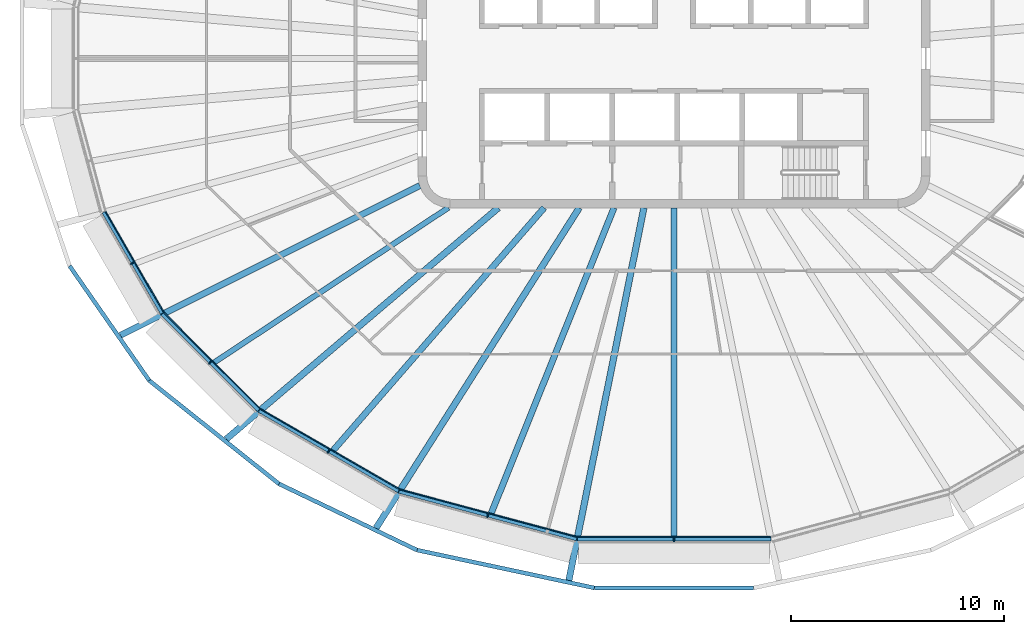
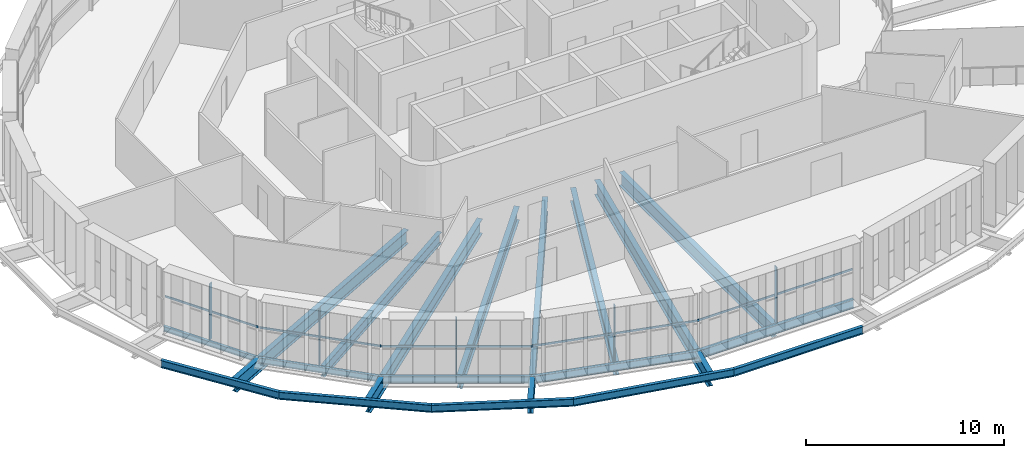
# One storey, part 1 of 17: 18 beams, 10 members, 5 elements without a shape of their own.
"""IFC4 building model written with IfcOpenShell, lengths in metres."""

from ifc_helpers import new_model, si_unit, direction, frame, origin, origin_2d, place, context, subcontext, project, spatial, rectangle, i_section, extrude, material, layer, layer_set, material_profile, profile_set, type_object, element, aggregate, save


model = new_model("IFC4")

# Units and contexts
model_context = context("Model", 3, precision=1e-05, world=origin(), true_north=direction((0.0, 1.0)))
body_context = subcontext(model_context, "Body", "Model", "MODEL_VIEW")
ifc_project = project(units=[si_unit("LENGTHUNIT", "METRE"), si_unit("AREAUNIT", "SQUARE_METRE"), si_unit("VOLUMEUNIT", "CUBIC_METRE"), si_unit("PLANEANGLEUNIT", "RADIAN"), si_unit("MASSUNIT", "GRAM", prefix="KILO")], contexts=[model_context])

# Site, building, storey
site_placement = place(None, origin())
site = spatial("IfcSite", under=ifc_project, at=site_placement, CompositionType="ELEMENT")
building_placement = place(site_placement, origin())
building = spatial("IfcBuilding", under=site, at=building_placement, Name="Sahrelin Media Tower", CompositionType="ELEMENT")
storey_placement = place(building_placement, frame((0.0, 0.0, 291.0)))
storey = spatial("IfcBuildingStorey", under=building, at=storey_placement, Name="L64", CompositionType="ELEMENT", Elevation=291.0)

# Beams
ifc_material_1 = material(Name="Steel S355", Category="steel")
ifc_material_profile_1 = material_profile(ifc_material_1, i_section(OverallWidth=0.1650390625, OverallDepth=0.303466796875, WebThickness=0.006103515625, FlangeThickness=0.01025390625, FilletRadius=0.0087890625, at=origin_2d()), Name="UB 305x165x40")
ifc_profile_set_1 = profile_set([ifc_material_profile_1], Name="Steel S355")
beam_type_1 = type_object("IfcBeamType", Name="Edge beam EB2", PredefinedType="BEAM", material=ifc_profile_set_1)
beam_1_placement = place(storey_placement, frame((-23.9970703125, -11.9541015625, -0.3017578125), z_axis=(-0.500020724563, 0.866013438122, 0.0), x_axis=(-0.866013438122, -0.500020724563, 0.0)))
element("IfcBeam", 1, at=beam_1_placement, inside=storey, type_object=beam_type_1, Name="Edge beam L64-08", PredefinedType="BEAM", context=body_context, shape_type="SweptSolid", body=[
    extrude(i_section(OverallWidth=0.1650390625, OverallDepth=0.303466796875, WebThickness=0.006103515625, FlangeThickness=0.01025390625, FilletRadius=0.0087890625, at=origin_2d()), origin(), (0.0, 0.0, 1.0), 5.479248046875),
])
ifc_material_profile_2 = material_profile(ifc_material_1, i_section(OverallWidth=0.17138671875, OverallDepth=0.35498046875, WebThickness=0.00732421875, FlangeThickness=0.011474609375, FilletRadius=0.01025390625, at=origin_2d()), Name="UB 356x171x51")
ifc_profile_set_2 = profile_set([ifc_material_profile_2], Name="Steel S355")
beam_type_2 = type_object("IfcBeamType", Name="Edge beam EB3", PredefinedType="BEAM", material=ifc_profile_set_2)
beam_2_placement = place(storey_placement, frame((-19.46728515625, -16.4892578125, -0.327392578125), z_axis=(-0.707106781187, 0.707106781187, 0.0), x_axis=(-0.707106781187, -0.707106781187, 0.0)))
element("IfcBeam", 2, at=beam_2_placement, inside=storey, type_object=beam_type_2, Name="Edge beam L64-07", PredefinedType="BEAM", context=body_context, shape_type="SweptSolid", body=[
    extrude(i_section(OverallWidth=0.17138671875, OverallDepth=0.35498046875, WebThickness=0.00732421875, FlangeThickness=0.011474609375, FilletRadius=0.01025390625, at=origin_2d()), origin(), (0.0, 0.0, 1.0), 6.381103515625),
])
ifc_material_profile_3 = material_profile(ifc_material_1, i_section(OverallWidth=0.177978515625, OverallDepth=0.406494140625, WebThickness=0.0078125, FlangeThickness=0.0126953125, FilletRadius=0.01025390625, at=origin_2d()), Name="UB 406x178x60")
ifc_profile_set_3 = profile_set([ifc_material_profile_3], Name="Steel S355")
beam_type_3 = type_object("IfcBeamType", Name="Edge beam EB4", PredefinedType="BEAM", material=ifc_profile_set_3)
beam_3_placement = place(storey_placement, frame((-12.91259765625, -20.27783203125, -0.353271484375), z_axis=(-0.866031418311, 0.499989582389, 0.0), x_axis=(-0.499989582389, -0.866031418311, 0.0)))
element("IfcBeam", 3, at=beam_3_placement, inside=storey, type_object=beam_type_3, Name="Edge beam L64-06", PredefinedType="BEAM", context=body_context, shape_type="SweptSolid", body=[
    extrude(i_section(OverallWidth=0.177978515625, OverallDepth=0.406494140625, WebThickness=0.0078125, FlangeThickness=0.0126953125, FilletRadius=0.01025390625, at=origin_2d()), origin(), (0.0, 0.0, 1.0), 7.542236328125),
])
ifc_material_profile_4 = material_profile(ifc_material_1, i_section(OverallWidth=0.1904296875, OverallDepth=0.45703125, WebThickness=0.009033203125, FlangeThickness=0.014404296875, FilletRadius=0.01025390625, at=origin_2d()), Name="UB 457x191x74")
ifc_profile_set_4 = profile_set([ifc_material_profile_4], Name="Steel S355")
beam_type_4 = type_object("IfcBeamType", Name="Edge beam EB5", PredefinedType="BEAM", material=ifc_profile_set_4)
beam_4_placement = place(storey_placement, frame((-4.5634765625, -22.518798828125, -0.37841796875), z_axis=(-0.965926676494, 0.258815872073, 0.0), x_axis=(-0.258815872073, -0.965926676494, 0.0)))
element("IfcBeam", 4, at=beam_4_placement, inside=storey, type_object=beam_type_4, Name="Edge beam L64-05", PredefinedType="BEAM", context=body_context, shape_type="SweptSolid", body=[
    extrude(i_section(OverallWidth=0.1904296875, OverallDepth=0.45703125, WebThickness=0.009033203125, FlangeThickness=0.014404296875, FilletRadius=0.01025390625, at=origin_2d()), origin(), (0.0, 0.0, 1.0), 8.615966796875),
])
ifc_material_profile_5 = material_profile(ifc_material_1, i_section(OverallWidth=0.208740234375, OverallDepth=0.5283203125, WebThickness=0.009521484375, FlangeThickness=0.01318359375, FilletRadius=0.0126953125, at=origin_2d()), Name="UB 533x210x82")
ifc_profile_set_5 = profile_set([ifc_material_profile_5], Name="Steel S355")
beam_type_5 = type_object("IfcBeamType", Name="Edge beam EB6", PredefinedType="BEAM", material=ifc_profile_set_5)
beam_5_placement = place(storey_placement, frame((4.534912109375, -22.522705078125, -0.4140625), z_axis=(-1.0, 0.0, 0.0), x_axis=(0.0, -1.0, 0.0)))
element("IfcBeam", 5, at=beam_5_placement, inside=storey, type_object=beam_type_5, Name="Edge beam L64-04", PredefinedType="BEAM", context=body_context, shape_type="SweptSolid", body=[
    extrude(i_section(OverallWidth=0.208740234375, OverallDepth=0.5283203125, WebThickness=0.009521484375, FlangeThickness=0.01318359375, FilletRadius=0.0126953125, at=origin_2d()), origin(), (0.0, 0.0, 1.0), 9.06982421875),
])

# Curtain wall, member
ifc_material_2 = material(Name="Champagne anodised aluminium 6063-T6", Category="aluminium")
ifc_layer = layer(ifc_material_2, 0.14990234375)
ifc_layer_set = layer_set([ifc_layer], Name="Tower ribbon curtain wall")
curtain_wall_type = type_object("IfcCurtainWallType", Name="Tower ribbon curtain wall", PredefinedType="NOTDEFINED", material=ifc_layer_set)
curtain_wall_1_placement = place(storey_placement, frame((-25.496826171875, -9.656494140625, 0.0), z_axis=(0.0, 0.0, 1.0), x_axis=(1.0, 0.0, 0.0)))
curtain_wall_1 = element("IfcCurtainWall", 6, at=curtain_wall_1_placement, inside=storey, type_object=curtain_wall_type, Name="L64:CW:L64-14", PredefinedType="NOTDEFINED")
ifc_material_profile_6 = material_profile(ifc_material_2, rectangle(XDim=0.06005859375, YDim=0.199951171875, at=origin_2d()), Name="Mullion 60x200")
ifc_profile_set_6 = profile_set([ifc_material_profile_6], Name="Champagne anodised aluminium 6063-T6")
member_type_1 = type_object("IfcMemberType", Name="Mullion 60x200 CW1C", PredefinedType="MULLION", material=ifc_profile_set_6)
member_1_placement = place(storey_placement, frame((-25.392822265625, -9.596435546875, 0.0), z_axis=(0.0, 0.0, 1.0), x_axis=(0.500003022996, -0.86602365845, 0.0)))
member_1 = element("IfcMember", 7, at=member_1_placement, type_object=member_type_1, Name="L64:CWM:L64-14", PredefinedType="MULLION", context=body_context, shape_type="SweptSolid", body=[
    extrude(rectangle(XDim=0.06005859375, YDim=0.199951171875, at=origin_2d()), origin(), (0.0, 0.0, 1.0), 3.448486328125),
])

curtain_wall_2_placement = place(storey_placement, frame((-21.829345703125, -14.339111328125, 0.0), z_axis=(0.0, 0.0, 1.0), x_axis=(1.0, 0.0, 0.0)))
curtain_wall_2 = element("IfcCurtainWall", 8, at=curtain_wall_2_placement, inside=storey, type_object=curtain_wall_type, Name="L64:CW:L64-15", PredefinedType="NOTDEFINED")
member_2_placement = place(storey_placement, frame((-21.744384765625, -14.25439453125, 0.0), z_axis=(0.0, 0.0, 1.0), x_axis=(0.707106781187, -0.707106781187, 0.0)))
member_2 = element("IfcMember", 9, at=member_2_placement, type_object=member_type_1, Name="L64:CWM:L64-15", PredefinedType="MULLION", context=body_context, shape_type="SweptSolid", body=[
    extrude(rectangle(XDim=0.06005859375, YDim=0.199951171875, at=origin_2d()), origin(), (0.0, 0.0, 1.0), 3.448486328125),
])

curtain_wall_3_placement = place(storey_placement, frame((-16.25341796875, -18.522216796875, 0.0), z_axis=(0.0, 0.0, 1.0), x_axis=(1.0, 0.0, 0.0)))
curtain_wall_3 = element("IfcCurtainWall", 10, at=curtain_wall_3_placement, inside=storey, type_object=curtain_wall_type, Name="L64:CW:L64-16", PredefinedType="NOTDEFINED")
member_3_placement = place(storey_placement, frame((-16.193603515625, -18.418212890625, 0.0), z_axis=(0.0, 0.0, 1.0), x_axis=(0.866026276448, -0.4999984885, 0.0)))
member_3 = element("IfcMember", 11, at=member_3_placement, type_object=member_type_1, Name="L64:CWM:L64-16", PredefinedType="MULLION", context=body_context, shape_type="SweptSolid", body=[
    extrude(rectangle(XDim=0.06005859375, YDim=0.199951171875, at=origin_2d()), origin(), (0.0, 0.0, 1.0), 3.448486328125),
])

curtain_wall_4_placement = place(storey_placement, frame((-8.763671875, -21.548828125, 0.0), z_axis=(0.0, 0.0, 1.0), x_axis=(1.0, 0.0, 0.0)))
curtain_wall_4 = element("IfcCurtainWall", 12, at=curtain_wall_4_placement, inside=storey, type_object=curtain_wall_type, Name="L64:CW:L64-17", PredefinedType="NOTDEFINED")
member_4_placement = place(storey_placement, frame((-8.732421875, -21.432861328125, 0.0), z_axis=(0.0, 0.0, 1.0), x_axis=(0.965925826289, -0.258819045103, 0.0)))
member_4 = element("IfcMember", 13, at=member_4_placement, type_object=member_type_1, Name="L64:CWM:L64-17", PredefinedType="MULLION", context=body_context, shape_type="SweptSolid", body=[
    extrude(rectangle(XDim=0.06005859375, YDim=0.199951171875, at=origin_2d()), origin(), (0.0, 0.0, 1.0), 3.448486328125),
])

curtain_wall_5_placement = place(storey_placement, frame((0.0, -22.672607421875, 0.0), z_axis=(0.0, 0.0, 1.0), x_axis=(1.0, 0.0, 0.0)))
curtain_wall_5 = element("IfcCurtainWall", 14, at=curtain_wall_5_placement, inside=storey, type_object=curtain_wall_type, Name="L64:CW:L64-18", PredefinedType="NOTDEFINED")
member_5_placement = place(storey_placement, frame((0.0, -22.552734375, 0.0), z_axis=(0.0, 0.0, 1.0), x_axis=(1.0, 0.0, 0.0)))
member_5 = element("IfcMember", 15, at=member_5_placement, type_object=member_type_1, Name="L64:CWM:L64-18", PredefinedType="MULLION", context=body_context, shape_type="SweptSolid", body=[
    extrude(rectangle(XDim=0.06005859375, YDim=0.199951171875, at=origin_2d()), origin(), (0.0, 0.0, 1.0), 3.448486328125),
])

# Beams
ifc_material_profile_7 = material_profile(ifc_material_1, i_section(OverallWidth=0.291748046875, OverallDepth=0.8349609375, WebThickness=0.013916015625, FlangeThickness=0.018798828125, FilletRadius=0.017822265625, at=origin_2d()), Name="UB 838x292x176")
ifc_profile_set_7 = profile_set([ifc_material_profile_7], Name="Steel S355")
beam_type_6 = type_object("IfcBeamType", Name="Radial primary beam PB10", PredefinedType="BEAM", material=ifc_profile_set_7)
beam_6_placement = place(storey_placement, frame((-11.918701171875, -5.961181640625, -0.5673828125), z_axis=(-0.894364961322, -0.447338033214, 0.0), x_axis=(0.447338033214, -0.894364961322, 0.0)))
element("IfcBeam", 16, at=beam_6_placement, inside=storey, type_object=beam_type_6, Name="Radial beam L64-15", PredefinedType="BEAM", context=body_context, shape_type="SweptSolid", body=[
    extrude(i_section(OverallWidth=0.291748046875, OverallDepth=0.8349609375, WebThickness=0.013916015625, FlangeThickness=0.018798828125, FilletRadius=0.017822265625, at=origin_2d()), origin(), (0.0, 0.0, 1.0), 15.695068359375),
])
ifc_material_profile_8 = material_profile(ifc_material_1, i_section(OverallWidth=0.30322265625, OverallDepth=0.903076171875, WebThickness=0.01513671875, FlangeThickness=0.020263671875, FilletRadius=0.01904296875, at=origin_2d()), Name="UB 914x305x201")
ifc_profile_set_8 = profile_set([ifc_material_profile_8], Name="Steel S355")
beam_type_7 = type_object("IfcBeamType", Name="Radial primary beam PB11", PredefinedType="BEAM", material=ifc_profile_set_8)
beam_7_placement = place(storey_placement, frame((-8.23388671875, -7.0, -0.6015625), z_axis=(-0.761882487724, -0.647715273017, 0.0), x_axis=(0.647715273017, -0.761882487724, 0.0)))
element("IfcBeam", 17, at=beam_7_placement, inside=storey, type_object=beam_type_7, Name="Radial beam L64-16", PredefinedType="BEAM", context=body_context, shape_type="SweptSolid", body=[
    extrude(i_section(OverallWidth=0.30322265625, OverallDepth=0.903076171875, WebThickness=0.01513671875, FlangeThickness=0.020263671875, FilletRadius=0.01904296875, at=origin_2d()), origin(), (0.0, 0.0, 1.0), 16.748291015625),
])
beam_8_placement = place(storey_placement, frame((-4.44091796875, -7.0, -0.6015625), z_axis=(-0.535704376598, -0.844405602121, 0.0), x_axis=(0.844405602121, -0.535704376598, 0.0)))
element("IfcBeam", 18, at=beam_8_placement, inside=storey, type_object=beam_type_7, Name="Radial beam L64-17", PredefinedType="BEAM", context=body_context, shape_type="SweptSolid", body=[
    extrude(i_section(OverallWidth=0.30322265625, OverallDepth=0.903076171875, WebThickness=0.01513671875, FlangeThickness=0.020263671875, FilletRadius=0.01904296875, at=origin_2d()), origin(), (0.0, 0.0, 1.0), 17.78662109375),
])
beam_9_placement = place(storey_placement, frame((-1.41064453125, -7.0, -0.6015625), z_axis=(-0.197562488047, -0.980290295431, 0.0), x_axis=(0.980290295431, -0.197562488047, 0.0)))
element("IfcBeam", 19, at=beam_9_placement, inside=storey, type_object=beam_type_7, Name="Radial beam L64-18", PredefinedType="BEAM", context=body_context, shape_type="SweptSolid", body=[
    extrude(i_section(OverallWidth=0.30322265625, OverallDepth=0.903076171875, WebThickness=0.01513671875, FlangeThickness=0.020263671875, FilletRadius=0.01904296875, at=origin_2d()), origin(), (0.0, 0.0, 1.0), 17.818603515625),
])
ifc_material_profile_9 = material_profile(ifc_material_1, i_section(OverallWidth=0.291748046875, OverallDepth=0.8349609375, WebThickness=0.013916015625, FlangeThickness=0.018798828125, FilletRadius=0.017822265625, at=origin_2d()), Name="UB 838x292x176")
ifc_profile_set_9 = profile_set([ifc_material_profile_9], Name="Steel S355")
beam_type_8 = type_object("IfcBeamType", Name="Radial secondary beam SB10", PredefinedType="BEAM", material=ifc_profile_set_9)
beam_10_placement = place(storey_placement, frame((-6.08740234375, -7.0, -0.5673828125), z_axis=(-0.656204331857, -0.754583245806, 0.0), x_axis=(0.754583245806, -0.656204331857, 0.0)))
element("IfcBeam", 20, at=beam_10_placement, inside=storey, type_object=beam_type_8, Name="Secondary beam L64-15", PredefinedType="BEAM", context=body_context, shape_type="SweptSolid", body=[
    extrude(i_section(OverallWidth=0.291748046875, OverallDepth=0.8349609375, WebThickness=0.013916015625, FlangeThickness=0.018798828125, FilletRadius=0.017822265625, at=origin_2d()), origin(), (0.0, 0.0, 1.0), 15.100830078125),
])
beam_11_placement = place(storey_placement, frame((-2.81298828125, -7.0, -0.5673828125), z_axis=(-0.372868678366, -0.927884124605, 0.0), x_axis=(0.927884124605, -0.372868678366, 0.0)))
element("IfcBeam", 21, at=beam_11_placement, inside=storey, type_object=beam_type_8, Name="Secondary beam L64-16", PredefinedType="BEAM", context=body_context, shape_type="SweptSolid", body=[
    extrude(i_section(OverallWidth=0.291748046875, OverallDepth=0.8349609375, WebThickness=0.013916015625, FlangeThickness=0.018798828125, FilletRadius=0.017822265625, at=origin_2d()), origin(), (0.0, 0.0, 1.0), 15.459716796875),
])
beam_12_placement = place(storey_placement, frame((0.0, -7.0, -0.5673828125), z_axis=(0.0, -1.0, 0.0), x_axis=(1.0, 0.0, 0.0)))
element("IfcBeam", 22, at=beam_12_placement, inside=storey, type_object=beam_type_8, Name="Secondary beam L64-17", PredefinedType="BEAM", context=body_context, shape_type="SweptSolid", body=[
    extrude(i_section(OverallWidth=0.291748046875, OverallDepth=0.8349609375, WebThickness=0.013916015625, FlangeThickness=0.018798828125, FilletRadius=0.017822265625, at=origin_2d()), origin(), (0.0, 0.0, 1.0), 15.418212890625),
])
ifc_material_profile_10 = material_profile(ifc_material_1, i_section(OverallWidth=0.2529296875, OverallDepth=0.677978515625, WebThickness=0.01171875, FlangeThickness=0.01611328125, FilletRadius=0.01513671875, at=origin_2d()), Name="UB 686x254x125")
ifc_profile_set_10 = profile_set([ifc_material_profile_10], Name="Steel S355")
beam_type_9 = type_object("IfcBeamType", Name="Radial secondary beam SB8", PredefinedType="BEAM", material=ifc_profile_set_10)
beam_13_placement = place(storey_placement, frame((-10.572998046875, -6.990478515625, -0.489013671875), z_axis=(-0.834171966274, -0.551504424899, 0.0), x_axis=(0.551504424899, -0.834171966274, 0.0)))
element("IfcBeam", 23, at=beam_13_placement, inside=storey, type_object=beam_type_9, Name="Secondary beam L64-14", PredefinedType="BEAM", context=body_context, shape_type="SweptSolid", body=[
    extrude(i_section(OverallWidth=0.2529296875, OverallDepth=0.677978515625, WebThickness=0.01171875, FlangeThickness=0.01611328125, FilletRadius=0.01513671875, at=origin_2d()), origin(), (0.0, 0.0, 1.0), 13.18603515625),
])
ifc_material_profile_11 = material_profile(ifc_material_1, i_section(OverallWidth=0.1904296875, OverallDepth=0.45703125, WebThickness=0.009033203125, FlangeThickness=0.014404296875, FilletRadius=0.01025390625, at=origin_2d()), Name="UB 457x191x74")
ifc_profile_set_11 = profile_set([ifc_material_profile_11], Name="Steel S355")
beam_type_10 = type_object("IfcBeamType", Name="Tie chord TC5", PredefinedType="BEAM", material=ifc_profile_set_11)
beam_14_placement = place(storey_placement, frame((-28.335693359375, -9.7236328125, -0.37841796875), z_axis=(0.570606286012, -0.821223761446, 0.0), x_axis=(0.821223761446, 0.570606286012, 0.0)))
element("IfcBeam", 24, at=beam_14_placement, inside=storey, type_object=beam_type_10, Name="Tie chord L64-14", PredefinedType="BEAM", context=body_context, shape_type="SweptSolid", body=[
    extrude(i_section(OverallWidth=0.1904296875, OverallDepth=0.45703125, WebThickness=0.009033203125, FlangeThickness=0.014404296875, FilletRadius=0.01025390625, at=origin_2d()), origin(), (0.0, 0.0, 1.0), 6.54248046875),
])
beam_15_placement = place(storey_placement, frame((-24.6025390625, -15.096435546875, -0.37841796875), z_axis=(0.782262590975, -0.622948825154, 0.0), x_axis=(0.622948825154, 0.782262590975, 0.0)))
element("IfcBeam", 25, at=beam_15_placement, inside=storey, type_object=beam_type_10, Name="Tie chord L64-15", PredefinedType="BEAM", context=body_context, shape_type="SweptSolid", body=[
    extrude(i_section(OverallWidth=0.1904296875, OverallDepth=0.45703125, WebThickness=0.009033203125, FlangeThickness=0.014404296875, FilletRadius=0.01025390625, at=origin_2d()), origin(), (0.0, 0.0, 1.0), 7.78173828125),
])
beam_16_placement = place(storey_placement, frame((-18.51513671875, -19.944091796875, -0.37841796875), z_axis=(0.901632989359, -0.432501968202, 0.0), x_axis=(0.432501968202, 0.901632989359, 0.0)))
element("IfcBeam", 26, at=beam_16_placement, inside=storey, type_object=beam_type_10, Name="Tie chord L64-16", PredefinedType="BEAM", context=body_context, shape_type="SweptSolid", body=[
    extrude(i_section(OverallWidth=0.1904296875, OverallDepth=0.45703125, WebThickness=0.009033203125, FlangeThickness=0.014404296875, FilletRadius=0.01025390625, at=origin_2d()), origin(), (0.0, 0.0, 1.0), 7.171875),
])
beam_17_placement = place(storey_placement, frame((-12.048828125, -23.0458984375, -0.37841796875), z_axis=(0.977981898463, -0.208689736877, 0.0), x_axis=(0.208689736877, 0.977981898463, 0.0)))
element("IfcBeam", 27, at=beam_17_placement, inside=storey, type_object=beam_type_10, Name="Tie chord L64-17", PredefinedType="BEAM", context=body_context, shape_type="SweptSolid", body=[
    extrude(i_section(OverallWidth=0.1904296875, OverallDepth=0.45703125, WebThickness=0.009033203125, FlangeThickness=0.014404296875, FilletRadius=0.01025390625, at=origin_2d()), origin(), (0.0, 0.0, 1.0), 8.502685546875),
])
beam_18_placement = place(storey_placement, frame((-3.7333984375, -24.8203125, -0.37841796875), z_axis=(1.0, 0.0, 0.0), x_axis=(0.0, 1.0, 0.0)))
element("IfcBeam", 28, at=beam_18_placement, inside=storey, type_object=beam_type_10, Name="Tie chord L64-18", PredefinedType="BEAM", context=body_context, shape_type="SweptSolid", body=[
    extrude(i_section(OverallWidth=0.1904296875, OverallDepth=0.45703125, WebThickness=0.009033203125, FlangeThickness=0.014404296875, FilletRadius=0.01025390625, at=origin_2d()), origin(), (0.0, 0.0, 1.0), 7.466796875),
])

# Member
ifc_material_profile_12 = material_profile(ifc_material_2, rectangle(XDim=0.050048828125, YDim=0.1201171875, at=origin_2d()), Name="Transom 50x120")
ifc_profile_set_12 = profile_set([ifc_material_profile_12], Name="Champagne anodised aluminium 6063-T6")
member_type_2 = type_object("IfcMemberType", Name="Transom 50x120 CW1C", PredefinedType="USERDEFINED", material=ifc_profile_set_12)
member_6_placement = place(storey_placement, frame((-26.646484375, -7.175048828125, 1.60009765625), z_axis=(0.499990120084, -0.866031107881, 0.0), x_axis=(0.866031107881, 0.499990120084, 0.0)))
member_6 = element("IfcMember", 29, at=member_6_placement, type_object=member_type_2, Name="L64:CWT:L64-14", ObjectType="TRANSOM", PredefinedType="USERDEFINED", context=body_context, shape_type="SweptSolid", body=[
    extrude(rectangle(XDim=0.050048828125, YDim=0.1201171875, at=origin_2d()), origin(), (0.0, 0.0, 1.0), 5.44775390625),
])

aggregate(curtain_wall_1, [member_1, member_6])

member_7_placement = place(storey_placement, frame((-23.901123046875, -11.9208984375, 1.60009765625), z_axis=(0.707106781187, -0.707106781187, 0.0), x_axis=(0.707106781187, 0.707106781187, 0.0)))
member_7 = element("IfcMember", 30, at=member_7_placement, type_object=member_type_2, Name="L64:CWT:L64-15", ObjectType="TRANSOM", PredefinedType="USERDEFINED", context=body_context, shape_type="SweptSolid", body=[
    extrude(rectangle(XDim=0.050048828125, YDim=0.1201171875, at=origin_2d()), origin(), (0.0, 0.0, 1.0), 6.349853515625),
])

aggregate(curtain_wall_2, [member_2, member_7])

member_8_placement = place(storey_placement, frame((-19.38330078125, -16.432373046875, 1.60009765625), z_axis=(0.866022108301, -0.500005707901, 0.0), x_axis=(0.500005707901, 0.866022108301, 0.0)))
member_8 = element("IfcMember", 31, at=member_8_placement, type_object=member_type_2, Name="L64:CWT:L64-16", ObjectType="TRANSOM", PredefinedType="USERDEFINED", context=body_context, shape_type="SweptSolid", body=[
    extrude(rectangle(XDim=0.050048828125, YDim=0.1201171875, at=origin_2d()), origin(), (0.0, 0.0, 1.0), 7.5107421875),
])

aggregate(curtain_wall_3, [member_3, member_8])

member_9_placement = place(storey_placement, frame((-12.84619140625, -20.201171875, 1.60009765625), z_axis=(0.965925074938, -0.258821849168, 0.0), x_axis=(0.258821849168, 0.965925074938, 0.0)))
member_9 = element("IfcMember", 32, at=member_9_placement, type_object=member_type_2, Name="L64:CWT:L64-17", ObjectType="TRANSOM", PredefinedType="USERDEFINED", context=body_context, shape_type="SweptSolid", body=[
    extrude(rectangle(XDim=0.050048828125, YDim=0.1201171875, at=origin_2d()), origin(), (0.0, 0.0, 1.0), 8.584716796875),
])

aggregate(curtain_wall_4, [member_4, member_9])

member_10_placement = place(storey_placement, frame((-4.51904296875, -22.427734375, 1.60009765625), z_axis=(1.0, 0.0, 0.0), x_axis=(0.0, 1.0, 0.0)))
member_10 = element("IfcMember", 33, at=member_10_placement, type_object=member_type_2, Name="L64:CWT:L64-18", ObjectType="TRANSOM", PredefinedType="USERDEFINED", context=body_context, shape_type="SweptSolid", body=[
    extrude(rectangle(XDim=0.050048828125, YDim=0.1201171875, at=origin_2d()), origin(), (0.0, 0.0, 1.0), 9.0380859375),
])

aggregate(curtain_wall_5, [member_5, member_10])

save(model, "model.ifc")
